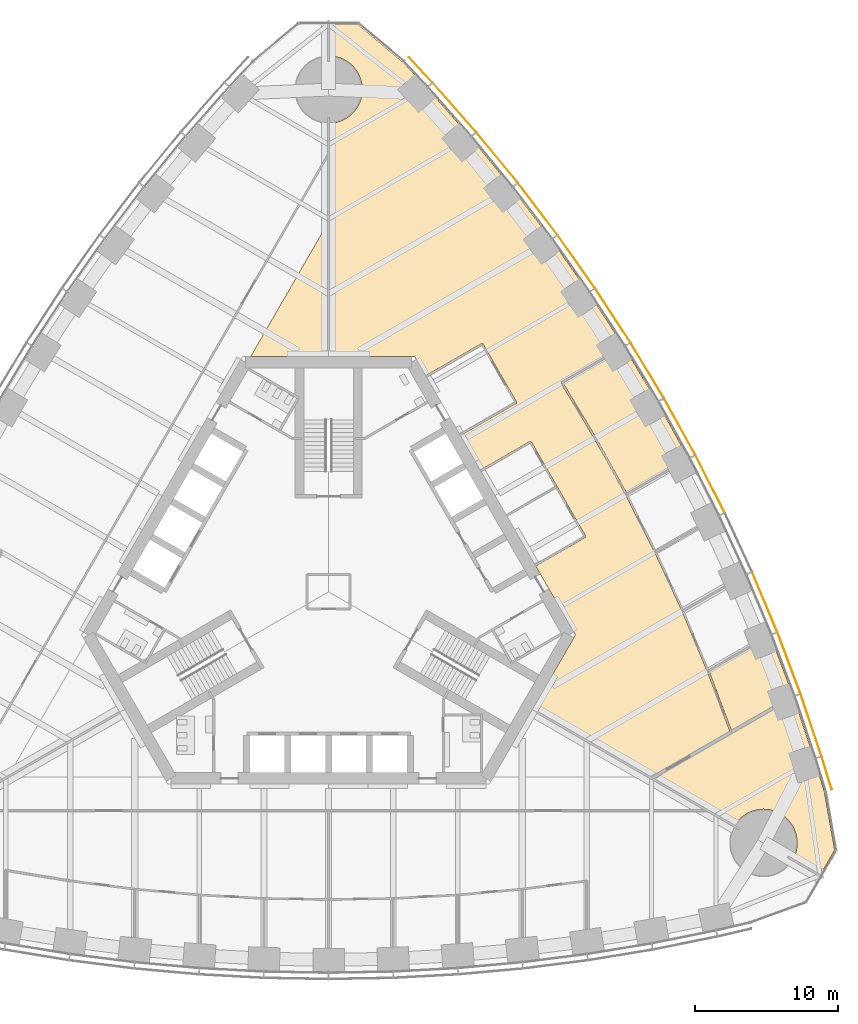
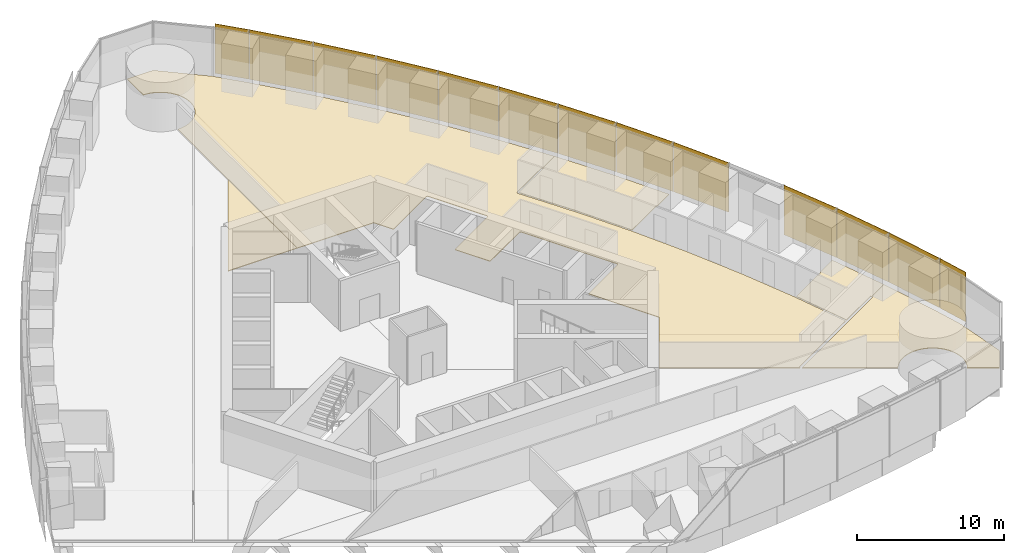
# One storey, part 16 of 18: 13 shading devices, 5 coverings.
"""IFC4 building model written with IfcOpenShell, lengths in metres."""

from ifc_helpers import new_model, si_unit, direction, frame, origin, origin_2d, place, context, subcontext, project, spatial, polyline, rectangle, outline, extrude, material, layer, layer_set, type_object, element, save


model = new_model("IFC4")

# Units and contexts
model_context = context("Model", 3, precision=1e-05, world=origin(), true_north=direction((0.0, 1.0)))
body_context = subcontext(model_context, "Body", "Model", "MODEL_VIEW")
ifc_project = project(units=[si_unit("LENGTHUNIT", "METRE"), si_unit("AREAUNIT", "SQUARE_METRE"), si_unit("VOLUMEUNIT", "CUBIC_METRE"), si_unit("PLANEANGLEUNIT", "RADIAN"), si_unit("MASSUNIT", "GRAM", prefix="KILO")], contexts=[model_context])

# Site, building, storey
site_placement = place(None, origin())
site = spatial("IfcSite", under=ifc_project, at=site_placement, CompositionType="ELEMENT")
building_placement = place(site_placement, origin())
building = spatial("IfcBuilding", under=site, at=building_placement, Name="Trefoil Bronze Tower", CompositionType="ELEMENT")
storey_placement = place(building_placement, frame((0.0, 0.0, 111.5)))
storey = spatial("IfcBuildingStorey", under=building, at=storey_placement, Name="L25", CompositionType="ELEMENT", Elevation=111.5)

# Shading devices
ifc_material_1 = material(Name="Perforated bronze sheet", Category="bronze")
ifc_layer_1 = layer(ifc_material_1, 0.0400390625)
ifc_layer_set_1 = layer_set([ifc_layer_1], Name="Bronze solar screen panel")
shading_device_type = type_object("IfcShadingDeviceType", Name="Bronze solar screen panel", PredefinedType="SHUTTER", material=ifc_layer_set_1)
shading_device_1_placement = place(storey_placement, frame((34.717529296875, -12.634765625, 0.050048828125), z_axis=(0.0, 0.0, 1.0), x_axis=(-0.291668676391, 0.956519410787, 0.0)))
element("IfcShadingDevice", 1, at=shading_device_1_placement, inside=storey, type_object=shading_device_type, Name="Solar screen CW-A L25 F2 bay 1", PredefinedType="SHUTTER", context=body_context, shape_type="SweptSolid", body=[
    extrude(rectangle(XDim=2.39013671875, YDim=0.0400390625, at=origin_2d()), origin(), (0.0, 0.0, 1.0), 4.10009765625),
])
shading_device_2_placement = place(storey_placement, frame((33.62890625, -9.286865234375, 0.050048828125), z_axis=(0.0, 0.0, 1.0), x_axis=(-0.318403749569, 0.947955195281, 0.0)))
element("IfcShadingDevice", 2, at=shading_device_2_placement, inside=storey, type_object=shading_device_type, Name="Solar screen CW-A L25 F2 bay 2", PredefinedType="SHUTTER", context=body_context, shape_type="SweptSolid", body=[
    extrude(rectangle(XDim=4.56103515625, YDim=0.0400390625, at=origin_2d()), origin(), (0.0, 0.0, 1.0), 4.10009765625),
])
shading_device_3_placement = place(storey_placement, frame((32.086669921875, -4.95849609375, 0.050048828125), z_axis=(0.0, 0.0, 1.0), x_axis=(-0.352919739707, 0.935653599002, 0.0)))
element("IfcShadingDevice", 3, at=shading_device_3_placement, inside=storey, type_object=shading_device_type, Name="Solar screen CW-A L25 F2 bay 3", PredefinedType="SHUTTER", context=body_context, shape_type="SweptSolid", body=[
    extrude(rectangle(XDim=4.5302734375, YDim=0.0400390625, at=origin_2d()), origin(), (0.0, 0.0, 1.0), 4.10009765625),
])
shading_device_4_placement = place(storey_placement, frame((30.3974609375, -0.715087890625, 0.050048828125), z_axis=(0.0, 0.0, 1.0), x_axis=(-0.386759234303, 0.922180727776, 0.0)))
element("IfcShadingDevice", 4, at=shading_device_4_placement, inside=storey, type_object=shading_device_type, Name="Solar screen CW-A L25 F2 bay 4", PredefinedType="SHUTTER", context=body_context, shape_type="SweptSolid", body=[
    extrude(rectangle(XDim=4.50634765625, YDim=0.0400390625, at=origin_2d()), origin(), (0.0, 0.0, 1.0), 4.10009765625),
])
shading_device_5_placement = place(storey_placement, frame((26.5869140625, 7.52197265625, 0.050048828125), z_axis=(0.0, 0.0, 1.0), x_axis=(-0.452448919686, 0.891790320128, 0.0)))
element("IfcShadingDevice", 5, at=shading_device_5_placement, inside=storey, type_object=shading_device_type, Name="Solar screen CW-A L25 F2 bay 6", PredefinedType="SHUTTER", context=body_context, shape_type="SweptSolid", body=[
    extrude(rectangle(XDim=4.4765625, YDim=0.0400390625, at=origin_2d()), origin(), (0.0, 0.0, 1.0), 4.10009765625),
])
for number, where, z_axis, x_axis, name in (
    (6, (24.468505859375, 11.517578125, 0.050048828125), (0.0, 0.0, 1.0), (-0.484312195836, 0.874895249138, 0.0), "Solar screen CW-A L25 F2 bay 7"),
    (7, (22.208740234375, 15.431396484375, 0.050048828125), (0.0, 0.0, 1.0), (-0.515525413486, 0.856874289526, 0.0), "Solar screen CW-A L25 F2 bay 8"),
):
    element("IfcShadingDevice", number, at=place(storey_placement, frame(where, z_axis=z_axis, x_axis=x_axis)), inside=storey, type_object=shading_device_type, Name=name, PredefinedType="SHUTTER", context=body_context, shape_type="SweptSolid", body=[
        extrude(rectangle(XDim=4.470703125, YDim=0.0400390625, at=origin_2d()), origin(), (0.0, 0.0, 1.0), 4.10009765625),
    ])
shading_device_6_placement = place(storey_placement, frame((19.8076171875, 19.263916015625, 0.050048828125), z_axis=(0.0, 0.0, 1.0), x_axis=(-0.546088612237, 0.837727418427, 0.0)))
element("IfcShadingDevice", 8, at=shading_device_6_placement, inside=storey, type_object=shading_device_type, Name="Solar screen CW-A L25 F2 bay 9", PredefinedType="SHUTTER", context=body_context, shape_type="SweptSolid", body=[
    extrude(rectangle(XDim=4.4765625, YDim=0.0400390625, at=origin_2d()), origin(), (0.0, 0.0, 1.0), 4.10009765625),
])
shading_device_7_placement = place(storey_placement, frame((17.264892578125, 23.014404296875, 0.050048828125), z_axis=(0.0, 0.0, 1.0), x_axis=(-0.575999283275, 0.817450197667, 0.0)))
element("IfcShadingDevice", 9, at=shading_device_7_placement, inside=storey, type_object=shading_device_type, Name="Solar screen CW-A L25 F2 bay 10", PredefinedType="SHUTTER", context=body_context, shape_type="SweptSolid", body=[
    extrude(rectangle(XDim=4.48828125, YDim=0.0400390625, at=origin_2d()), origin(), (0.0, 0.0, 1.0), 4.10009765625),
])
shading_device_8_placement = place(storey_placement, frame((14.579345703125, 26.6826171875, 0.050048828125), z_axis=(0.0, 0.0, 1.0), x_axis=(-0.605252319983, 0.796033685943, 0.0)))
element("IfcShadingDevice", 10, at=shading_device_8_placement, inside=storey, type_object=shading_device_type, Name="Solar screen CW-A L25 F2 bay 11", PredefinedType="SHUTTER", context=body_context, shape_type="SweptSolid", body=[
    extrude(rectangle(XDim=4.50634765625, YDim=0.0400390625, at=origin_2d()), origin(), (0.0, 0.0, 1.0), 4.10009765625),
])
shading_device_9_placement = place(storey_placement, frame((11.7490234375, 30.26708984375, 0.050048828125), z_axis=(0.0, 0.0, 1.0), x_axis=(-0.633839916024, 0.773464259584, 0.0)))
element("IfcShadingDevice", 11, at=shading_device_9_placement, inside=storey, type_object=shading_device_type, Name="Solar screen CW-A L25 F2 bay 12", PredefinedType="SHUTTER", context=body_context, shape_type="SweptSolid", body=[
    extrude(rectangle(XDim=4.5302734375, YDim=0.0400390625, at=origin_2d()), origin(), (0.0, 0.0, 1.0), 4.10009765625),
])
shading_device_10_placement = place(storey_placement, frame((8.77197265625, 33.766845703125, 0.050048828125), z_axis=(0.0, 0.0, 1.0), x_axis=(-0.661751405978, 0.749723333428, 0.0)))
element("IfcShadingDevice", 12, at=shading_device_10_placement, inside=storey, type_object=shading_device_type, Name="Solar screen CW-A L25 F2 bay 13", PredefinedType="SHUTTER", context=body_context, shape_type="SweptSolid", body=[
    extrude(rectangle(XDim=4.56103515625, YDim=0.0400390625, at=origin_2d()), origin(), (0.0, 0.0, 1.0), 4.10009765625),
])
shading_device_11_placement = place(storey_placement, frame((6.416748046875, 36.383544921875, 0.050048828125), z_axis=(0.0, 0.0, 1.0), x_axis=(-0.682535770759, 0.730852188636, 0.0)))
element("IfcShadingDevice", 13, at=shading_device_11_placement, inside=storey, type_object=shading_device_type, Name="Solar screen CW-A L25 F2 bay 14", PredefinedType="SHUTTER", context=body_context, shape_type="SweptSolid", body=[
    extrude(rectangle(XDim=2.39013671875, YDim=0.0400390625, at=origin_2d()), origin(), (0.0, 0.0, 1.0), 4.10009765625),
])

# Coverings
ifc_material_2 = material(Name="Raised access floor panels", Category="steel")
ifc_layer_2 = layer(ifc_material_2, 0.050048828125)
ifc_layer_set_2 = layer_set([ifc_layer_2], Name="Raised access floor 150")
covering_type = type_object("IfcCoveringType", Name="Raised access floor 150", PredefinedType="FLOORING", material=ifc_layer_set_2)
covering_1_placement = place(storey_placement, frame((0.0, 0.0, 0.10009765625)))
element("IfcCovering", 14, at=covering_1_placement, inside=storey, type_object=covering_type, Name="Raised floor L25 Boardroom F2", PredefinedType="FLOORING", context=body_context, shape_type="SweptSolid", body=[
    extrude(outline(polyline([(28.2822265625, -16.314697265625), (22.60986328125, -13.04248046875), (31.001220703125, -8.19775390625), (30.951171875, -8.111083984375), (32.385986328125, -7.28271484375), (33.847900390625, -11.634765625), (34.5537109375, -13.94970703125), (35.2666015625, -17.99169921875), (34.247802734375, -19.755859375), (32.352294921875, -18.66259765625), (32.38330078125, -18.60791015625), (32.435302734375, -18.5048828125), (32.48193359375, -18.3994140625), (32.5234375, -18.291748046875), (32.559814453125, -18.18212890625), (32.590576171875, -18.071044921875), (32.61572265625, -17.95849609375), (32.635498046875, -17.8447265625), (32.649658203125, -17.730224609375), (32.658203125, -17.615234375), (32.660888671875, -17.5), (32.658203125, -17.384765625), (32.649658203125, -17.269775390625), (32.635498046875, -17.1552734375), (32.61572265625, -17.04150390625), (32.590576171875, -16.928955078125), (32.559814453125, -16.81787109375), (32.5234375, -16.708251953125), (32.48193359375, -16.6005859375), (32.435302734375, -16.4951171875), (32.38330078125, -16.39208984375), (32.32666015625, -16.2919921875), (32.264892578125, -16.1943359375), (32.198486328125, -16.10009765625), (32.12744140625, -16.00927734375), (32.052001953125, -15.921875), (31.97265625, -15.83837890625), (31.88916015625, -15.7587890625), (31.8017578125, -15.683349609375), (31.710693359375, -15.612548828125), (31.616455078125, -15.5458984375), (31.51904296875, -15.484375), (31.418701171875, -15.427490234375), (31.315673828125, -15.37548828125), (31.210205078125, -15.328857421875), (31.1025390625, -15.287353515625), (30.9931640625, -15.251220703125), (30.8818359375, -15.220458984375), (30.769287109375, -15.1953125), (30.65576171875, -15.17529296875), (30.541259765625, -15.161376953125), (30.42626953125, -15.15283203125), (30.310791015625, -15.14990234375), (30.195556640625, -15.15283203125), (30.08056640625, -15.161376953125), (29.966064453125, -15.17529296875), (29.852294921875, -15.1953125), (29.739990234375, -15.220458984375), (29.628662109375, -15.251220703125), (29.519287109375, -15.287353515625), (29.41162109375, -15.328857421875), (29.30615234375, -15.37548828125), (29.203125, -15.427490234375), (29.102783203125, -15.484375), (29.00537109375, -15.5458984375), (28.910888671875, -15.612548828125), (28.820068359375, -15.683349609375), (28.732666015625, -15.7587890625), (28.649169921875, -15.83837890625), (28.569580078125, -15.921875), (28.494384765625, -16.00927734375), (28.42333984375, -16.10009765625), (28.35693359375, -16.1943359375), (28.295166015625, -16.2919921875), (28.2822265625, -16.314697265625)])), origin(), (0.0, 0.0, 1.0), 0.0498046875),
])
covering_2_placement = place(storey_placement, frame((0.0, 0.0, 0.10009765625)))
element("IfcCovering", 15, at=covering_2_placement, inside=storey, type_object=covering_type, Name="Raised floor L25 Client meeting room F2", PredefinedType="FLOORING", context=body_context, shape_type="SweptSolid", body=[
    extrude(outline(polyline([(22.906005859375, 13.224853515625), (25.085693359375, 9.287109375), (23.67333984375, 8.4716796875), (23.643310546875, 8.523681640625), (20.778564453125, 6.86962890625), (18.62841796875, 10.75390625), (18.575927734375, 10.724853515625), (18.62744140625, 10.755859375), (16.338623046875, 14.56005859375), (19.203369140625, 16.2138671875), (19.17333984375, 16.265869140625), (20.585693359375, 17.081298828125), (22.906005859375, 13.224853515625)])), origin(), (0.0, 0.0, 1.0), 0.0498046875),
])
covering_3_placement = place(storey_placement, frame((0.0, 0.0, 0.10009765625)))
element("IfcCovering", 16, at=covering_3_placement, inside=storey, type_object=covering_type, Name="Raised floor L25 Servery F2", PredefinedType="FLOORING", context=body_context, shape_type="SweptSolid", body=[
    extrude(outline(polyline([(30.776611328125, -3.015625), (32.385986328125, -7.28271484375), (30.951171875, -8.111083984375), (30.901123046875, -8.0244140625), (28.072998046875, -9.657470703125), (26.520751953125, -5.542236328125), (29.38037109375, -3.89111328125), (29.350341796875, -3.839111328125), (30.776611328125, -3.015625)])), origin(), (0.0, 0.0, 1.0), 0.0498046875),
])
covering_4_placement = place(storey_placement, frame((0.0, 0.0, 0.10009765625)))
element("IfcCovering", 17, at=covering_4_placement, inside=storey, type_object=covering_type, Name="Raised floor L25 Client suite F2", PredefinedType="FLOORING", context=body_context, shape_type="SweptSolid", body=[
    extrude(outline(polyline([(20.585693359375, 17.081298828125), (19.17333984375, 16.265869140625), (19.143310546875, 16.31787109375), (16.2255859375, 14.63330078125), (16.255615234375, 14.581298828125), (16.204345703125, 14.550537109375), (17.92041015625, 11.697998046875), (19.091064453125, 9.670654296875), (20.70263671875, 6.759033203125), (22.74072265625, 2.7421875), (24.63720703125, -1.356689453125), (26.390869140625, -5.537841796875), (27.967529296875, -9.71826171875), (22.5029296875, -12.873291015625), (22.552978515625, -12.959716796875), (22.509765625, -12.98486328125), (14.205810546875, -8.194580078125), (17.205078125, -3.0), (14.434814453125, 1.79833984375), (17.898681640625, 3.79833984375), (17.868896484375, 3.850341796875), (17.9208984375, 3.88037109375), (14.120849609375, 10.462158203125), (14.06884765625, 10.43212890625), (14.038818359375, 10.48388671875), (10.57470703125, 8.48388671875), (9.184814453125, 10.8916015625), (13.081787109375, 13.1416015625), (13.052001953125, 13.193603515625), (13.103759765625, 13.223388671875), (10.75390625, 17.293701171875), (10.701904296875, 17.263916015625), (10.671875, 17.31591796875), (6.774658203125, 15.06591796875), (6.00439453125, 16.39990234375), (0.006103515625, 16.39990234375), (0.01220703125, 32.650390625), (0.115234375, 32.65283203125), (0.230224609375, 32.661376953125), (0.3447265625, 32.67529296875), (0.45849609375, 32.6953125), (0.571044921875, 32.720458984375), (0.68212890625, 32.751220703125), (0.791748046875, 32.787353515625), (0.8994140625, 32.828857421875), (1.0048828125, 32.87548828125), (1.10791015625, 32.927490234375), (1.2080078125, 32.984375), (1.3056640625, 33.0458984375), (1.39990234375, 33.112548828125), (1.49072265625, 33.183349609375), (1.578125, 33.2587890625), (1.66162109375, 33.33837890625), (1.7412109375, 33.421875), (1.816650390625, 33.50927734375), (1.887451171875, 33.60009765625), (1.9541015625, 33.6943359375), (2.015625, 33.7919921875), (2.072509765625, 33.89208984375), (2.12451171875, 33.9951171875), (2.171142578125, 34.1005859375), (2.212646484375, 34.208251953125), (2.248779296875, 34.31787109375), (2.279541015625, 34.428955078125), (2.3046875, 34.54150390625), (2.32470703125, 34.6552734375), (2.338623046875, 34.769775390625), (2.34716796875, 34.884765625), (2.35009765625, 35.0), (2.34716796875, 35.115234375), (2.338623046875, 35.230224609375), (2.32470703125, 35.3447265625), (2.3046875, 35.45849609375), (2.279541015625, 35.571044921875), (2.248779296875, 35.68212890625), (2.212646484375, 35.791748046875), (2.171142578125, 35.8994140625), (2.12451171875, 36.0048828125), (2.072509765625, 36.10791015625), (2.015625, 36.2080078125), (1.9541015625, 36.3056640625), (1.887451171875, 36.39990234375), (1.816650390625, 36.49072265625), (1.7412109375, 36.578125), (1.66162109375, 36.66162109375), (1.578125, 36.7412109375), (1.49072265625, 36.816650390625), (1.39990234375, 36.887451171875), (1.3056640625, 36.9541015625), (1.2080078125, 37.015625), (1.10791015625, 37.072509765625), (1.0048828125, 37.12451171875), (0.8994140625, 37.171142578125), (0.791748046875, 37.212646484375), (0.68212890625, 37.248779296875), (0.571044921875, 37.279541015625), (0.45849609375, 37.3046875), (0.3447265625, 37.32470703125), (0.230224609375, 37.338623046875), (0.115234375, 37.34716796875), (0.013916015625, 37.349609375), (0.014892578125, 39.53759765625), (2.052001953125, 39.53759765625), (5.1962890625, 36.8994140625), (6.847900390625, 35.130615234375), (9.885986328125, 31.6884765625), (12.776611328125, 28.1611328125), (15.522216796875, 24.55029296875), (18.124755859375, 20.856689453125), (20.585693359375, 17.081298828125)])), origin(), (0.0, 0.0, 1.0), 0.0498046875),
])
covering_5_placement = place(storey_placement, frame((0.0, 0.0, 0.10009765625)))
element("IfcCovering", 18, at=covering_5_placement, inside=storey, type_object=covering_type, Name="Raised floor L25 Open-plan office F3", PredefinedType="FLOORING", context=body_context, shape_type="SweptSolid", body=[
    extrude(outline(polyline([(-0.006103515625, 16.39990234375), (-5.427001953125, 16.39990234375), (-0.009765625, 25.783203125), (-0.006103515625, 16.39990234375)])), origin(), (0.0, 0.0, 1.0), 0.0498046875),
])

save(model, "model.ifc")
